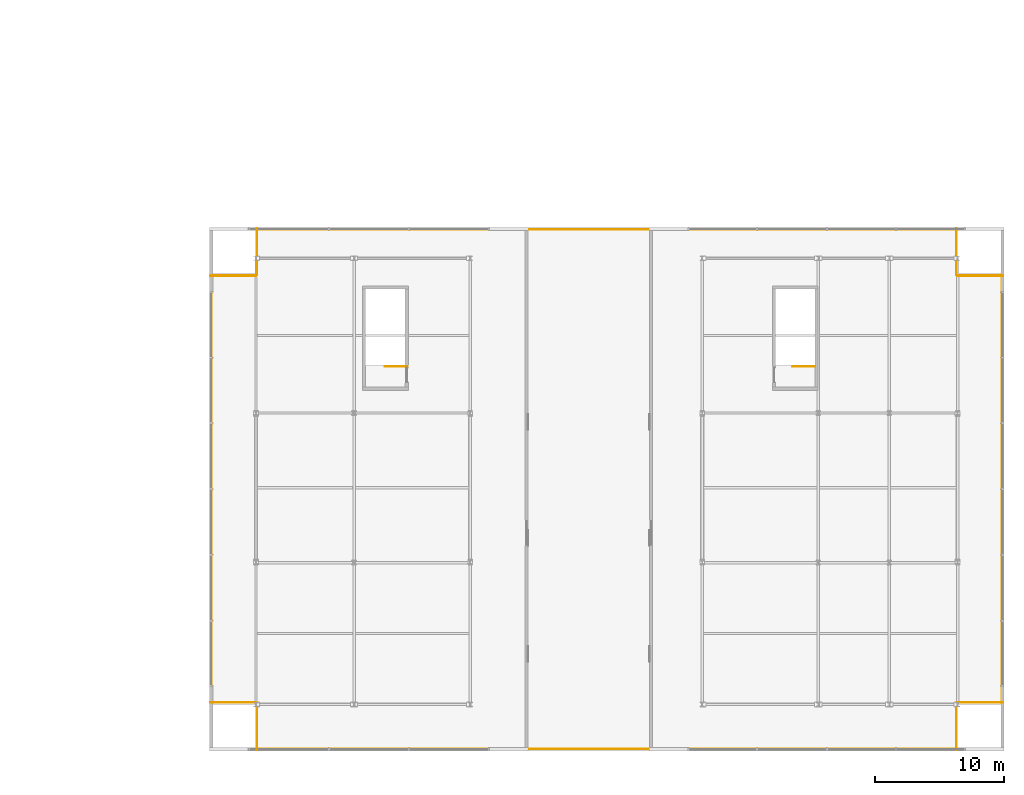
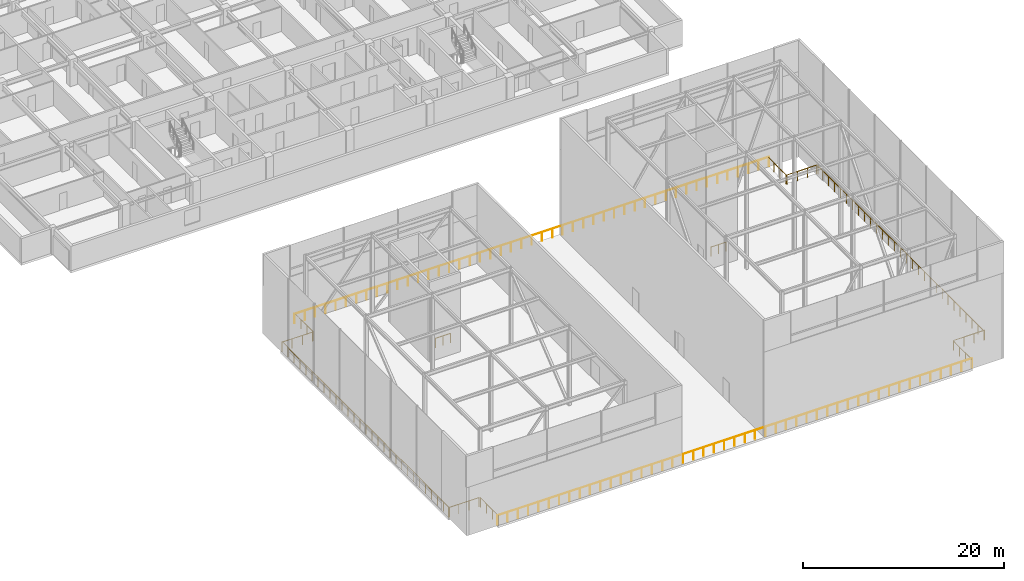
# One storey, part 40 of 42: 14 railings.
"""IFC4 building model written with IfcOpenShell, lengths in metres."""

import ifcopenshell
import ifcopenshell.guid

model = None  # the IFC model being written
_history = None  # IfcOwnerHistory: only IFC2X3 demands one
_inside = {}  # id of a spatial element -> (the spatial element, [elements in it])
_under = {}  # id of a project, library or spatial element -> (it, [spatial elements below it])
_declared = {}  # id of a project -> (the project, [libraries it declares])
_typed = {}  # id of a type object -> (the type object, [elements of that type])
_made_of = {}  # id of a material, layer set ... -> (it, [elements and type objects made of it])


def new_model(schema):
    """Start an empty IFC model of exactly this schema.

    Asked for "IFC4X3", IfcOpenShell would pick the latest addendum, in which some entities
    have other attributes; the version numbers below select the first issue.
    IFC2X3 requires an IfcOwnerHistory on every rooted entity: one is made here for all.
    """
    global model, _history
    if schema == "IFC4X3":
        model = ifcopenshell.file(schema_version=(4, 3, 0, 0))
    else:
        model = ifcopenshell.file(schema=schema)
    _inside.clear()
    _under.clear()
    _declared.clear()
    _typed.clear()
    _made_of.clear()
    _history = None
    if model.schema == "IFC2X3":
        org = make("IfcOrganization", Name="unknown")
        user = make(
            "IfcPersonAndOrganization",
            ThePerson=make("IfcPerson", FamilyName="unknown"),
            TheOrganization=org,
        )
        app = make(
            "IfcApplication",
            ApplicationDeveloper=org,
            Version="unknown",
            ApplicationFullName="unknown",
            ApplicationIdentifier="unknown",
        )
        _history = make(
            "IfcOwnerHistory",
            OwningUser=user,
            OwningApplication=app,
            ChangeAction="ADDED",
            CreationDate=0,
        )
    return model


def make(cls, **values):
    """One entity of the class cls with the attributes given. An attribute that is None is left unset."""
    return model.create_entity(
        cls, **{name: value for name, value in values.items() if value is not None}
    )


def rooted(cls, **values):
    """An entity with a GlobalId (a new one), such as an element, a storey or a relation."""
    return make(cls, GlobalId=ifcopenshell.guid.new(), OwnerHistory=_history, **values)


def si_unit(unit_type, name, prefix=None):
    """IfcSIUnit, for example si_unit("LENGTHUNIT", "METRE", prefix="MILLI")."""
    return make("IfcSIUnit", UnitType=unit_type, Prefix=prefix, Name=name)


def assignment(units):
    """IfcUnitAssignment: the units of a project."""
    return None if units is None else make("IfcUnitAssignment", Units=units)


def point(xyz):
    """IfcCartesianPoint."""
    return None if xyz is None else make("IfcCartesianPoint", Coordinates=xyz)


def direction(xyz):
    """IfcDirection."""
    return None if xyz is None else make("IfcDirection", DirectionRatios=xyz)


def frame(location, z_axis=None, x_axis=None):
    """IfcAxis2Placement3D, a coordinate frame: its origin and axes. An axis left out is left unset."""
    return make(
        "IfcAxis2Placement3D",
        Location=point(location),
        Axis=direction(z_axis),
        RefDirection=direction(x_axis),
    )


def frame_2d(location, x_axis=None):
    """IfcAxis2Placement2D, a coordinate frame in the plane: its origin and x axis."""
    return make(
        "IfcAxis2Placement2D", Location=point(location), RefDirection=direction(x_axis)
    )


def origin():
    """The frame at (0, 0, 0) with its axes left unset."""
    return frame((0.0, 0.0, 0.0))


def origin_2d():
    """The frame at (0, 0) in the plane with its x axis left unset."""
    return frame_2d((0.0, 0.0))


def place(relative_to, where):
    """IfcLocalPlacement: puts the frame where relative to a parent placement (None: the world)."""
    return make(
        "IfcLocalPlacement", PlacementRelTo=relative_to, RelativePlacement=where
    )


def context(
    kind, dimensions, precision=None, world=None, true_north=None, identifier=None
):
    """IfcGeometricRepresentationContext, for example the 3D "Model" context."""
    return make(
        "IfcGeometricRepresentationContext",
        ContextIdentifier=identifier,
        ContextType=kind,
        CoordinateSpaceDimension=dimensions,
        Precision=precision,
        WorldCoordinateSystem=world,
        TrueNorth=true_north,
    )


def subcontext(parent, identifier, kind, view, scale=None):
    """IfcGeometricRepresentationSubContext, for example "Body" below "Model"."""
    return make(
        "IfcGeometricRepresentationSubContext",
        ContextIdentifier=identifier,
        ContextType=kind,
        ParentContext=parent,
        TargetScale=scale,
        TargetView=view,
    )


def project(units=None, contexts=None):
    """IfcProject with its units and contexts."""
    return rooted(
        "IfcProject",
        Name="project",
        RepresentationContexts=contexts,
        UnitsInContext=assignment(units),
    )


def spatial(cls, under=None, at=None, **own):
    """A site, building, storey or space (cls), placed at a placement, below another one or the project."""
    s = rooted(cls, ObjectPlacement=at, **own)
    if under is not None:
        _under.setdefault(under.id(), (under, []))[1].append(s)
    return s


def profile(cls, at=None, kind="AREA", **sizes):
    """A parametric profile (cls). Its sizes go by their IFC names, for example OverallWidth=200.0."""
    return make(cls, ProfileType=kind, Position=at, **sizes)


def circle(**sizes):
    """IfcCircleProfileDef."""
    return profile("IfcCircleProfileDef", **sizes)


def extrude(swept, where, along, depth):
    """IfcExtrudedAreaSolid: the profile swept, set in the frame where, extruded along a direction by depth."""
    return make(
        "IfcExtrudedAreaSolid",
        SweptArea=swept,
        Position=where,
        ExtrudedDirection=direction(along),
        Depth=depth,
    )


def shape(context_of_items, identifier, shape_type, items):
    """IfcShapeRepresentation: the items that make up one representation, for example the "Body"."""
    return make(
        "IfcShapeRepresentation",
        ContextOfItems=context_of_items,
        RepresentationIdentifier=identifier,
        RepresentationType=shape_type,
        Items=items,
    )


def material(Name=None, Category=None):
    """IfcMaterial."""
    return make("IfcMaterial", Name=Name, Category=Category)


def made_of(thing, what):
    """Note that an element or type object is made of a material, layer set ...; save() writes the relation."""
    if what is not None:
        _made_of.setdefault(what.id(), (what, []))[1].append(thing)
    return thing


def type_object(cls, material=None, **own):
    """A type object (cls), such as IfcWallType, which elements share."""
    return made_of(rooted(cls, **own), material)


def element(
    cls,
    number,
    at=None,
    inside=None,
    cuts=None,
    type_object=None,
    material=None,
    context=None,
    identifier="Body",
    shape_type=None,
    held_by="IfcProductDefinitionShape",
    body=None,
    shapes=None,
    **own,
):
    """One element of the class cls, such as IfcWall. Its Tag is "e" and its number.

    at: its placement. inside: the storey or other place that contains it. cuts: it is an
    opening in that element (IfcRelVoidsElement). A single representation is given by context,
    identifier, shape_type and body (its items); several are given by shapes. held_by: the class
    of the entity that holds the representations. save() writes the other relations.
    """
    e = rooted(cls, Tag="e%d" % number, ObjectPlacement=at, **own)
    if body is not None:
        shapes = [shape(context, identifier, shape_type, body)]
    if shapes is not None:
        e.Representation = make(held_by, Representations=shapes)
    if inside is not None:
        _inside.setdefault(inside.id(), (inside, []))[1].append(e)
    if cuts is not None:
        rooted(
            "IfcRelVoidsElement", RelatingBuildingElement=cuts, RelatedOpeningElement=e
        )
    if type_object is not None:
        _typed.setdefault(type_object.id(), (type_object, []))[1].append(e)
    return made_of(e, material)


def aggregate(whole, parts):
    """IfcRelAggregates: a whole, such as a stair, and the parts it consists of."""
    return rooted("IfcRelAggregates", RelatingObject=whole, RelatedObjects=parts)


def save(model, path):
    """Write the relations noted so far, then the file.

    IfcRelAggregates (storeys below a building ...), IfcRelContainedInSpatialStructure (elements
    in a storey), IfcRelDefinesByType, IfcRelAssociatesMaterial and IfcRelDeclares: one each for
    every whole, place, type object, material and project.
    """
    for whole, parts in _under.values():
        aggregate(whole, parts)
    for where, things in _inside.values():
        rooted(
            "IfcRelContainedInSpatialStructure",
            RelatedElements=things,
            RelatingStructure=where,
        )
    for kind, things in _typed.values():
        rooted("IfcRelDefinesByType", RelatedObjects=things, RelatingType=kind)
    for what, things in _made_of.values():
        rooted("IfcRelAssociatesMaterial", RelatedObjects=things, RelatingMaterial=what)
    for by, libraries in _declared.values():
        rooted("IfcRelDeclares", RelatingContext=by, RelatedDefinitions=libraries)
    model.write(path)


model = new_model("IFC4")

# Units and contexts
model_context = context("Model", 3, precision=1e-05, world=origin(), true_north=direction((0.0, 1.0)))
body_context = subcontext(model_context, "Body", "Model", "MODEL_VIEW")
ifc_project = project(units=[si_unit("LENGTHUNIT", "METRE"), si_unit("AREAUNIT", "SQUARE_METRE"), si_unit("VOLUMEUNIT", "CUBIC_METRE"), si_unit("PLANEANGLEUNIT", "RADIAN"), si_unit("MASSUNIT", "GRAM", prefix="KILO")], contexts=[model_context])

# Site, building, storey
site_placement = place(None, origin())
site = spatial("IfcSite", under=ifc_project, at=site_placement, CompositionType="ELEMENT")
building_placement = place(site_placement, origin())
building = spatial("IfcBuilding", under=site, at=building_placement, Name="Korimba Cascade Residences", CompositionType="ELEMENT")
storey_placement = place(building_placement, frame((0.0, 0.0, 207.60009765625)))
storey = spatial("IfcBuildingStorey", under=building, at=storey_placement, Name="L60", CompositionType="ELEMENT", Elevation=207.60009765625)

# Railings
ifc_material_1 = material(Name="Painted Steel Stairwell Guardrail", Category="steel")
railing_type_1 = type_object("IfcRailingType", Name="RLG-ST-GD1150", PredefinedType="GUARDRAIL", material=ifc_material_1)
for number, where, name in (
    (1, (86.239990234375, 22.0, 0.0), "L60 ST-E1 top well guard 1"),
    (2, (117.840087890625, 22.0, 0.0), "L60 ST-E2 top well guard 1"),
):
    element("IfcRailing", number, at=place(storey_placement, frame(where)), inside=storey, type_object=railing_type_1, Name=name, PredefinedType="GUARDRAIL", context=body_context, shape_type="SweptSolid", body=[
        extrude(circle(Radius=0.02392578125, at=origin_2d()), frame((0.0, 0.0, 1.1259765625), z_axis=(-1.0, 0.0, 0.0), x_axis=(0.0, -1.0, 0.0)), (0.0, 0.0, 1.0), 1.719970703125),
        extrude(circle(Radius=0.02099609375, at=origin_2d()), origin(), (0.0, 0.0, 1.0), 1.101806640625),
        extrude(circle(Radius=0.02099609375, at=origin_2d()), frame((-0.85986328125, 0.0, 0.0)), (0.0, 0.0, 1.0), 1.101806640625),
        extrude(circle(Radius=0.02099609375, at=origin_2d()), frame((-1.719970703125, 0.0, 0.0)), (0.0, 0.0, 1.0), 1.101806640625),
    ])
ifc_material_2 = material(Name="Painted Galvanised Steel Terrace Guardrail", Category="steel")
railing_type_2 = type_object("IfcRailingType", Name="RLG-TER-1150", PredefinedType="GUARDRAIL", material=ifc_material_2)
railing_1_placement = place(storey_placement, frame((74.5, -7.639892578125, 0.0)))
element("IfcRailing", 3, at=railing_1_placement, inside=storey, type_object=railing_type_2, Name="L60 Perimeter Guardrail RLG-L60-CRN-PERIM-01", PredefinedType="GUARDRAIL", context=body_context, shape_type="SweptSolid", body=[
    extrude(circle(Radius=0.02392578125, at=origin_2d()), frame((0.0, 0.0, 1.1259765625), z_axis=(1.0, 0.0, 0.0), x_axis=(0.0, 1.0, 0.0)), (0.0, 0.0, 1.0), 54.39990234375),
    extrude(circle(Radius=0.02099609375, at=origin_2d()), origin(), (0.0, 0.0, 1.0), 1.101806640625),
    extrude(circle(Radius=0.02099609375, at=origin_2d()), frame((1.1826171875, 0.0, 0.0)), (0.0, 0.0, 1.0), 1.101806640625),
    extrude(circle(Radius=0.02099609375, at=origin_2d()), frame((2.365234375, 0.0, 0.0)), (0.0, 0.0, 1.0), 1.101806640625),
    extrude(circle(Radius=0.02099609375, at=origin_2d()), frame((3.5478515625, 0.0, 0.0)), (0.0, 0.0, 1.0), 1.101806640625),
    extrude(circle(Radius=0.02099609375, at=origin_2d()), frame((4.73046875, 0.0, 0.0)), (0.0, 0.0, 1.0), 1.101806640625),
    extrude(circle(Radius=0.02099609375, at=origin_2d()), frame((5.9130859375, 0.0, 0.0)), (0.0, 0.0, 1.0), 1.101806640625),
    extrude(circle(Radius=0.02099609375, at=origin_2d()), frame((7.095703125, 0.0, 0.0)), (0.0, 0.0, 1.0), 1.101806640625),
    extrude(circle(Radius=0.02099609375, at=origin_2d()), frame((8.2783203125, 0.0, 0.0)), (0.0, 0.0, 1.0), 1.101806640625),
    extrude(circle(Radius=0.02099609375, at=origin_2d()), frame((9.4609375, 0.0, 0.0)), (0.0, 0.0, 1.0), 1.101806640625),
    extrude(circle(Radius=0.02099609375, at=origin_2d()), frame((10.6435546875, 0.0, 0.0)), (0.0, 0.0, 1.0), 1.101806640625),
    extrude(circle(Radius=0.02099609375, at=origin_2d()), frame((11.826171875, 0.0, 0.0)), (0.0, 0.0, 1.0), 1.101806640625),
    extrude(circle(Radius=0.02099609375, at=origin_2d()), frame((13.0087890625, 0.0, 0.0)), (0.0, 0.0, 1.0), 1.101806640625),
    extrude(circle(Radius=0.02099609375, at=origin_2d()), frame((14.191162109375, 0.0, 0.0)), (0.0, 0.0, 1.0), 1.101806640625),
    extrude(circle(Radius=0.02099609375, at=origin_2d()), frame((15.373779296875, 0.0, 0.0)), (0.0, 0.0, 1.0), 1.101806640625),
    extrude(circle(Radius=0.02099609375, at=origin_2d()), frame((16.556396484375, 0.0, 0.0)), (0.0, 0.0, 1.0), 1.101806640625),
    extrude(circle(Radius=0.02099609375, at=origin_2d()), frame((17.739013671875, 0.0, 0.0)), (0.0, 0.0, 1.0), 1.101806640625),
    extrude(circle(Radius=0.02099609375, at=origin_2d()), frame((18.921630859375, 0.0, 0.0)), (0.0, 0.0, 1.0), 1.101806640625),
    extrude(circle(Radius=0.02099609375, at=origin_2d()), frame((20.104248046875, 0.0, 0.0)), (0.0, 0.0, 1.0), 1.101806640625),
    extrude(circle(Radius=0.02099609375, at=origin_2d()), frame((21.286865234375, 0.0, 0.0)), (0.0, 0.0, 1.0), 1.101806640625),
    extrude(circle(Radius=0.02099609375, at=origin_2d()), frame((22.469482421875, 0.0, 0.0)), (0.0, 0.0, 1.0), 1.101806640625),
    extrude(circle(Radius=0.02099609375, at=origin_2d()), frame((23.652099609375, 0.0, 0.0)), (0.0, 0.0, 1.0), 1.101806640625),
    extrude(circle(Radius=0.02099609375, at=origin_2d()), frame((24.834716796875, 0.0, 0.0)), (0.0, 0.0, 1.0), 1.101806640625),
    extrude(circle(Radius=0.02099609375, at=origin_2d()), frame((26.017333984375, 0.0, 0.0)), (0.0, 0.0, 1.0), 1.101806640625),
    extrude(circle(Radius=0.02099609375, at=origin_2d()), frame((27.199951171875, 0.0, 0.0)), (0.0, 0.0, 1.0), 1.101806640625),
    extrude(circle(Radius=0.02099609375, at=origin_2d()), frame((28.382568359375, 0.0, 0.0)), (0.0, 0.0, 1.0), 1.101806640625),
    extrude(circle(Radius=0.02099609375, at=origin_2d()), frame((29.565185546875, 0.0, 0.0)), (0.0, 0.0, 1.0), 1.101806640625),
    extrude(circle(Radius=0.02099609375, at=origin_2d()), frame((30.747802734375, 0.0, 0.0)), (0.0, 0.0, 1.0), 1.101806640625),
    extrude(circle(Radius=0.02099609375, at=origin_2d()), frame((31.930419921875, 0.0, 0.0)), (0.0, 0.0, 1.0), 1.101806640625),
    extrude(circle(Radius=0.02099609375, at=origin_2d()), frame((33.113037109375, 0.0, 0.0)), (0.0, 0.0, 1.0), 1.101806640625),
    extrude(circle(Radius=0.02099609375, at=origin_2d()), frame((34.295654296875, 0.0, 0.0)), (0.0, 0.0, 1.0), 1.101806640625),
    extrude(circle(Radius=0.02099609375, at=origin_2d()), frame((35.478271484375, 0.0, 0.0)), (0.0, 0.0, 1.0), 1.101806640625),
    extrude(circle(Radius=0.02099609375, at=origin_2d()), frame((36.660888671875, 0.0, 0.0)), (0.0, 0.0, 1.0), 1.101806640625),
    extrude(circle(Radius=0.02099609375, at=origin_2d()), frame((37.843505859375, 0.0, 0.0)), (0.0, 0.0, 1.0), 1.101806640625),
    extrude(circle(Radius=0.02099609375, at=origin_2d()), frame((39.026123046875, 0.0, 0.0)), (0.0, 0.0, 1.0), 1.101806640625),
    extrude(circle(Radius=0.02099609375, at=origin_2d()), frame((40.208740234375, 0.0, 0.0)), (0.0, 0.0, 1.0), 1.101806640625),
    extrude(circle(Radius=0.02099609375, at=origin_2d()), frame((41.39111328125, 0.0, 0.0)), (0.0, 0.0, 1.0), 1.101806640625),
    extrude(circle(Radius=0.02099609375, at=origin_2d()), frame((42.57373046875, 0.0, 0.0)), (0.0, 0.0, 1.0), 1.101806640625),
    extrude(circle(Radius=0.02099609375, at=origin_2d()), frame((43.75634765625, 0.0, 0.0)), (0.0, 0.0, 1.0), 1.101806640625),
    extrude(circle(Radius=0.02099609375, at=origin_2d()), frame((44.93896484375, 0.0, 0.0)), (0.0, 0.0, 1.0), 1.101806640625),
    extrude(circle(Radius=0.02099609375, at=origin_2d()), frame((46.12158203125, 0.0, 0.0)), (0.0, 0.0, 1.0), 1.101806640625),
    extrude(circle(Radius=0.02099609375, at=origin_2d()), frame((47.30419921875, 0.0, 0.0)), (0.0, 0.0, 1.0), 1.101806640625),
    extrude(circle(Radius=0.02099609375, at=origin_2d()), frame((48.48681640625, 0.0, 0.0)), (0.0, 0.0, 1.0), 1.101806640625),
    extrude(circle(Radius=0.02099609375, at=origin_2d()), frame((49.66943359375, 0.0, 0.0)), (0.0, 0.0, 1.0), 1.101806640625),
    extrude(circle(Radius=0.02099609375, at=origin_2d()), frame((50.85205078125, 0.0, 0.0)), (0.0, 0.0, 1.0), 1.101806640625),
    extrude(circle(Radius=0.02099609375, at=origin_2d()), frame((52.03466796875, 0.0, 0.0)), (0.0, 0.0, 1.0), 1.101806640625),
    extrude(circle(Radius=0.02099609375, at=origin_2d()), frame((53.21728515625, 0.0, 0.0)), (0.0, 0.0, 1.0), 1.101806640625),
    extrude(circle(Radius=0.02099609375, at=origin_2d()), frame((54.39990234375, 0.0, 0.0)), (0.0, 0.0, 1.0), 1.101806640625),
])
railing_2_placement = place(storey_placement, frame((128.820068359375, -7.719970703125, 0.0)))
element("IfcRailing", 4, at=railing_2_placement, inside=storey, type_object=railing_type_2, Name="L60 Perimeter Guardrail RLG-L60-CRN-PERIM-02", PredefinedType="GUARDRAIL", context=body_context, shape_type="SweptSolid", body=[
    extrude(circle(Radius=0.02392578125, at=origin_2d()), frame((0.0, 0.0, 1.1259765625), z_axis=(0.0, 1.0, 0.0), x_axis=(-1.0, 0.0, 0.0)), (0.0, 0.0, 1.0), 3.599853515625),
    extrude(circle(Radius=0.02099609375, at=origin_2d()), origin(), (0.0, 0.0, 1.0), 1.101806640625),
    extrude(circle(Radius=0.02099609375, at=origin_2d()), frame((0.0, 1.199951171875, 0.0)), (0.0, 0.0, 1.0), 1.101806640625),
    extrude(circle(Radius=0.02099609375, at=origin_2d()), frame((0.0, 2.39990234375, 0.0)), (0.0, 0.0, 1.0), 1.101806640625),
    extrude(circle(Radius=0.02099609375, at=origin_2d()), frame((0.0, 3.599853515625, 0.0)), (0.0, 0.0, 1.0), 1.101806640625),
])
railing_3_placement = place(storey_placement, frame((128.89990234375, -4.0400390625, 0.0)))
element("IfcRailing", 5, at=railing_3_placement, inside=storey, type_object=railing_type_2, Name="L60 Perimeter Guardrail RLG-L60-CRN-PERIM-03", PredefinedType="GUARDRAIL", context=body_context, shape_type="SweptSolid", body=[
    extrude(circle(Radius=0.02392578125, at=origin_2d()), frame((0.0, 0.0, 1.1259765625), z_axis=(1.0, 0.0, 0.0), x_axis=(0.0, 1.0, 0.0)), (0.0, 0.0, 1.0), 3.52001953125),
    extrude(circle(Radius=0.02099609375, at=origin_2d()), origin(), (0.0, 0.0, 1.0), 1.101806640625),
    extrude(circle(Radius=0.02099609375, at=origin_2d()), frame((1.17333984375, 0.0, 0.0)), (0.0, 0.0, 1.0), 1.101806640625),
    extrude(circle(Radius=0.02099609375, at=origin_2d()), frame((2.3466796875, 0.0, 0.0)), (0.0, 0.0, 1.0), 1.101806640625),
    extrude(circle(Radius=0.02099609375, at=origin_2d()), frame((3.52001953125, 0.0, 0.0)), (0.0, 0.0, 1.0), 1.101806640625),
])
railing_4_placement = place(storey_placement, frame((132.340087890625, -4.1201171875, 0.0)))
element("IfcRailing", 6, at=railing_4_placement, inside=storey, type_object=railing_type_2, Name="L60 Perimeter Guardrail RLG-L60-CRN-PERIM-04", PredefinedType="GUARDRAIL", context=body_context, shape_type="SweptSolid", body=[
    extrude(circle(Radius=0.02392578125, at=origin_2d()), frame((0.0, 0.0, 1.1259765625), z_axis=(0.0, 1.0, 0.0), x_axis=(-1.0, 0.0, 0.0)), (0.0, 0.0, 1.0), 33.240234375),
    extrude(circle(Radius=0.02099609375, at=origin_2d()), origin(), (0.0, 0.0, 1.0), 1.101806640625),
    extrude(circle(Radius=0.02099609375, at=origin_2d()), frame((0.0, 1.187255859375, 0.0)), (0.0, 0.0, 1.0), 1.101806640625),
    extrude(circle(Radius=0.02099609375, at=origin_2d()), frame((0.0, 2.374267578125, 0.0)), (0.0, 0.0, 1.0), 1.101806640625),
    extrude(circle(Radius=0.02099609375, at=origin_2d()), frame((0.0, 3.5615234375, 0.0)), (0.0, 0.0, 1.0), 1.101806640625),
    extrude(circle(Radius=0.02099609375, at=origin_2d()), frame((0.0, 4.74853515625, 0.0)), (0.0, 0.0, 1.0), 1.101806640625),
    extrude(circle(Radius=0.02099609375, at=origin_2d()), frame((0.0, 5.935791015625, 0.0)), (0.0, 0.0, 1.0), 1.101806640625),
    extrude(circle(Radius=0.02099609375, at=origin_2d()), frame((0.0, 7.122802734375, 0.0)), (0.0, 0.0, 1.0), 1.101806640625),
    extrude(circle(Radius=0.02099609375, at=origin_2d()), frame((0.0, 8.31005859375, 0.0)), (0.0, 0.0, 1.0), 1.101806640625),
    extrude(circle(Radius=0.02099609375, at=origin_2d()), frame((0.0, 9.497314453125, 0.0)), (0.0, 0.0, 1.0), 1.101806640625),
    extrude(circle(Radius=0.02099609375, at=origin_2d()), frame((0.0, 10.684326171875, 0.0)), (0.0, 0.0, 1.0), 1.101806640625),
    extrude(circle(Radius=0.02099609375, at=origin_2d()), frame((0.0, 11.87158203125, 0.0)), (0.0, 0.0, 1.0), 1.101806640625),
    extrude(circle(Radius=0.02099609375, at=origin_2d()), frame((0.0, 13.05859375, 0.0)), (0.0, 0.0, 1.0), 1.101806640625),
    extrude(circle(Radius=0.02099609375, at=origin_2d()), frame((0.0, 14.245849609375, 0.0)), (0.0, 0.0, 1.0), 1.101806640625),
    extrude(circle(Radius=0.02099609375, at=origin_2d()), frame((0.0, 15.432861328125, 0.0)), (0.0, 0.0, 1.0), 1.101806640625),
    extrude(circle(Radius=0.02099609375, at=origin_2d()), frame((0.0, 16.6201171875, 0.0)), (0.0, 0.0, 1.0), 1.101806640625),
    extrude(circle(Radius=0.02099609375, at=origin_2d()), frame((0.0, 17.807373046875, 0.0)), (0.0, 0.0, 1.0), 1.101806640625),
    extrude(circle(Radius=0.02099609375, at=origin_2d()), frame((0.0, 18.994384765625, 0.0)), (0.0, 0.0, 1.0), 1.101806640625),
    extrude(circle(Radius=0.02099609375, at=origin_2d()), frame((0.0, 20.181640625, 0.0)), (0.0, 0.0, 1.0), 1.101806640625),
    extrude(circle(Radius=0.02099609375, at=origin_2d()), frame((0.0, 21.36865234375, 0.0)), (0.0, 0.0, 1.0), 1.101806640625),
    extrude(circle(Radius=0.02099609375, at=origin_2d()), frame((0.0, 22.555908203125, 0.0)), (0.0, 0.0, 1.0), 1.101806640625),
    extrude(circle(Radius=0.02099609375, at=origin_2d()), frame((0.0, 23.742919921875, 0.0)), (0.0, 0.0, 1.0), 1.101806640625),
    extrude(circle(Radius=0.02099609375, at=origin_2d()), frame((0.0, 24.93017578125, 0.0)), (0.0, 0.0, 1.0), 1.101806640625),
    extrude(circle(Radius=0.02099609375, at=origin_2d()), frame((0.0, 26.117431640625, 0.0)), (0.0, 0.0, 1.0), 1.101806640625),
    extrude(circle(Radius=0.02099609375, at=origin_2d()), frame((0.0, 27.304443359375, 0.0)), (0.0, 0.0, 1.0), 1.101806640625),
    extrude(circle(Radius=0.02099609375, at=origin_2d()), frame((0.0, 28.49169921875, 0.0)), (0.0, 0.0, 1.0), 1.101806640625),
    extrude(circle(Radius=0.02099609375, at=origin_2d()), frame((0.0, 29.6787109375, 0.0)), (0.0, 0.0, 1.0), 1.101806640625),
    extrude(circle(Radius=0.02099609375, at=origin_2d()), frame((0.0, 30.865966796875, 0.0)), (0.0, 0.0, 1.0), 1.101806640625),
    extrude(circle(Radius=0.02099609375, at=origin_2d()), frame((0.0, 32.052978515625, 0.0)), (0.0, 0.0, 1.0), 1.101806640625),
    extrude(circle(Radius=0.02099609375, at=origin_2d()), frame((0.0, 33.240234375, 0.0)), (0.0, 0.0, 1.0), 1.101806640625),
])
railing_5_placement = place(storey_placement, frame((132.419921875, 29.0400390625, 0.0)))
element("IfcRailing", 7, at=railing_5_placement, inside=storey, type_object=railing_type_2, Name="L60 Perimeter Guardrail RLG-L60-CRN-PERIM-05", PredefinedType="GUARDRAIL", context=body_context, shape_type="SweptSolid", body=[
    extrude(circle(Radius=0.02392578125, at=origin_2d()), frame((0.0, 0.0, 1.1259765625), z_axis=(-1.0, 0.0, 0.0), x_axis=(0.0, -1.0, 0.0)), (0.0, 0.0, 1.0), 3.52001953125),
    extrude(circle(Radius=0.02099609375, at=origin_2d()), origin(), (0.0, 0.0, 1.0), 1.101806640625),
    extrude(circle(Radius=0.02099609375, at=origin_2d()), frame((-1.17333984375, 0.0, 0.0)), (0.0, 0.0, 1.0), 1.101806640625),
    extrude(circle(Radius=0.02099609375, at=origin_2d()), frame((-2.3466796875, 0.0, 0.0)), (0.0, 0.0, 1.0), 1.101806640625),
    extrude(circle(Radius=0.02099609375, at=origin_2d()), frame((-3.52001953125, 0.0, 0.0)), (0.0, 0.0, 1.0), 1.101806640625),
])
railing_6_placement = place(storey_placement, frame((128.820068359375, 29.1201171875, 0.0)))
element("IfcRailing", 8, at=railing_6_placement, inside=storey, type_object=railing_type_2, Name="L60 Perimeter Guardrail RLG-L60-CRN-PERIM-06", PredefinedType="GUARDRAIL", context=body_context, shape_type="SweptSolid", body=[
    extrude(circle(Radius=0.02392578125, at=origin_2d()), frame((0.0, 0.0, 1.1259765625), z_axis=(0.0, 1.0, 0.0), x_axis=(-1.0, 0.0, 0.0)), (0.0, 0.0, 1.0), 3.599853515625),
    extrude(circle(Radius=0.02099609375, at=origin_2d()), origin(), (0.0, 0.0, 1.0), 1.101806640625),
    extrude(circle(Radius=0.02099609375, at=origin_2d()), frame((0.0, 1.199951171875, 0.0)), (0.0, 0.0, 1.0), 1.101806640625),
    extrude(circle(Radius=0.02099609375, at=origin_2d()), frame((0.0, 2.39990234375, 0.0)), (0.0, 0.0, 1.0), 1.101806640625),
    extrude(circle(Radius=0.02099609375, at=origin_2d()), frame((0.0, 3.599853515625, 0.0)), (0.0, 0.0, 1.0), 1.101806640625),
])
railing_7_placement = place(storey_placement, frame((128.89990234375, 32.639892578125, 0.0)))
element("IfcRailing", 9, at=railing_7_placement, inside=storey, type_object=railing_type_2, Name="L60 Perimeter Guardrail RLG-L60-CRN-PERIM-07", PredefinedType="GUARDRAIL", context=body_context, shape_type="SweptSolid", body=[
    extrude(circle(Radius=0.02392578125, at=origin_2d()), frame((0.0, 0.0, 1.1259765625), z_axis=(-1.0, 0.0, 0.0), x_axis=(0.0, -1.0, 0.0)), (0.0, 0.0, 1.0), 54.39990234375),
    extrude(circle(Radius=0.02099609375, at=origin_2d()), origin(), (0.0, 0.0, 1.0), 1.101806640625),
    extrude(circle(Radius=0.02099609375, at=origin_2d()), frame((-1.1826171875, 0.0, 0.0)), (0.0, 0.0, 1.0), 1.101806640625),
    extrude(circle(Radius=0.02099609375, at=origin_2d()), frame((-2.365234375, 0.0, 0.0)), (0.0, 0.0, 1.0), 1.101806640625),
    extrude(circle(Radius=0.02099609375, at=origin_2d()), frame((-3.5478515625, 0.0, 0.0)), (0.0, 0.0, 1.0), 1.101806640625),
    extrude(circle(Radius=0.02099609375, at=origin_2d()), frame((-4.73046875, 0.0, 0.0)), (0.0, 0.0, 1.0), 1.101806640625),
    extrude(circle(Radius=0.02099609375, at=origin_2d()), frame((-5.9130859375, 0.0, 0.0)), (0.0, 0.0, 1.0), 1.101806640625),
    extrude(circle(Radius=0.02099609375, at=origin_2d()), frame((-7.095703125, 0.0, 0.0)), (0.0, 0.0, 1.0), 1.101806640625),
    extrude(circle(Radius=0.02099609375, at=origin_2d()), frame((-8.2783203125, 0.0, 0.0)), (0.0, 0.0, 1.0), 1.101806640625),
    extrude(circle(Radius=0.02099609375, at=origin_2d()), frame((-9.4609375, 0.0, 0.0)), (0.0, 0.0, 1.0), 1.101806640625),
    extrude(circle(Radius=0.02099609375, at=origin_2d()), frame((-10.6435546875, 0.0, 0.0)), (0.0, 0.0, 1.0), 1.101806640625),
    extrude(circle(Radius=0.02099609375, at=origin_2d()), frame((-11.826171875, 0.0, 0.0)), (0.0, 0.0, 1.0), 1.101806640625),
    extrude(circle(Radius=0.02099609375, at=origin_2d()), frame((-13.0087890625, 0.0, 0.0)), (0.0, 0.0, 1.0), 1.101806640625),
    extrude(circle(Radius=0.02099609375, at=origin_2d()), frame((-14.191162109375, 0.0, 0.0)), (0.0, 0.0, 1.0), 1.101806640625),
    extrude(circle(Radius=0.02099609375, at=origin_2d()), frame((-15.373779296875, 0.0, 0.0)), (0.0, 0.0, 1.0), 1.101806640625),
    extrude(circle(Radius=0.02099609375, at=origin_2d()), frame((-16.556396484375, 0.0, 0.0)), (0.0, 0.0, 1.0), 1.101806640625),
    extrude(circle(Radius=0.02099609375, at=origin_2d()), frame((-17.739013671875, 0.0, 0.0)), (0.0, 0.0, 1.0), 1.101806640625),
    extrude(circle(Radius=0.02099609375, at=origin_2d()), frame((-18.921630859375, 0.0, 0.0)), (0.0, 0.0, 1.0), 1.101806640625),
    extrude(circle(Radius=0.02099609375, at=origin_2d()), frame((-20.104248046875, 0.0, 0.0)), (0.0, 0.0, 1.0), 1.101806640625),
    extrude(circle(Radius=0.02099609375, at=origin_2d()), frame((-21.286865234375, 0.0, 0.0)), (0.0, 0.0, 1.0), 1.101806640625),
    extrude(circle(Radius=0.02099609375, at=origin_2d()), frame((-22.469482421875, 0.0, 0.0)), (0.0, 0.0, 1.0), 1.101806640625),
    extrude(circle(Radius=0.02099609375, at=origin_2d()), frame((-23.652099609375, 0.0, 0.0)), (0.0, 0.0, 1.0), 1.101806640625),
    extrude(circle(Radius=0.02099609375, at=origin_2d()), frame((-24.834716796875, 0.0, 0.0)), (0.0, 0.0, 1.0), 1.101806640625),
    extrude(circle(Radius=0.02099609375, at=origin_2d()), frame((-26.017333984375, 0.0, 0.0)), (0.0, 0.0, 1.0), 1.101806640625),
    extrude(circle(Radius=0.02099609375, at=origin_2d()), frame((-27.199951171875, 0.0, 0.0)), (0.0, 0.0, 1.0), 1.101806640625),
    extrude(circle(Radius=0.02099609375, at=origin_2d()), frame((-28.382568359375, 0.0, 0.0)), (0.0, 0.0, 1.0), 1.101806640625),
    extrude(circle(Radius=0.02099609375, at=origin_2d()), frame((-29.565185546875, 0.0, 0.0)), (0.0, 0.0, 1.0), 1.101806640625),
    extrude(circle(Radius=0.02099609375, at=origin_2d()), frame((-30.747802734375, 0.0, 0.0)), (0.0, 0.0, 1.0), 1.101806640625),
    extrude(circle(Radius=0.02099609375, at=origin_2d()), frame((-31.930419921875, 0.0, 0.0)), (0.0, 0.0, 1.0), 1.101806640625),
    extrude(circle(Radius=0.02099609375, at=origin_2d()), frame((-33.113037109375, 0.0, 0.0)), (0.0, 0.0, 1.0), 1.101806640625),
    extrude(circle(Radius=0.02099609375, at=origin_2d()), frame((-34.295654296875, 0.0, 0.0)), (0.0, 0.0, 1.0), 1.101806640625),
    extrude(circle(Radius=0.02099609375, at=origin_2d()), frame((-35.478271484375, 0.0, 0.0)), (0.0, 0.0, 1.0), 1.101806640625),
    extrude(circle(Radius=0.02099609375, at=origin_2d()), frame((-36.660888671875, 0.0, 0.0)), (0.0, 0.0, 1.0), 1.101806640625),
    extrude(circle(Radius=0.02099609375, at=origin_2d()), frame((-37.843505859375, 0.0, 0.0)), (0.0, 0.0, 1.0), 1.101806640625),
    extrude(circle(Radius=0.02099609375, at=origin_2d()), frame((-39.026123046875, 0.0, 0.0)), (0.0, 0.0, 1.0), 1.101806640625),
    extrude(circle(Radius=0.02099609375, at=origin_2d()), frame((-40.208740234375, 0.0, 0.0)), (0.0, 0.0, 1.0), 1.101806640625),
    extrude(circle(Radius=0.02099609375, at=origin_2d()), frame((-41.39111328125, 0.0, 0.0)), (0.0, 0.0, 1.0), 1.101806640625),
    extrude(circle(Radius=0.02099609375, at=origin_2d()), frame((-42.57373046875, 0.0, 0.0)), (0.0, 0.0, 1.0), 1.101806640625),
    extrude(circle(Radius=0.02099609375, at=origin_2d()), frame((-43.75634765625, 0.0, 0.0)), (0.0, 0.0, 1.0), 1.101806640625),
    extrude(circle(Radius=0.02099609375, at=origin_2d()), frame((-44.93896484375, 0.0, 0.0)), (0.0, 0.0, 1.0), 1.101806640625),
    extrude(circle(Radius=0.02099609375, at=origin_2d()), frame((-46.12158203125, 0.0, 0.0)), (0.0, 0.0, 1.0), 1.101806640625),
    extrude(circle(Radius=0.02099609375, at=origin_2d()), frame((-47.30419921875, 0.0, 0.0)), (0.0, 0.0, 1.0), 1.101806640625),
    extrude(circle(Radius=0.02099609375, at=origin_2d()), frame((-48.48681640625, 0.0, 0.0)), (0.0, 0.0, 1.0), 1.101806640625),
    extrude(circle(Radius=0.02099609375, at=origin_2d()), frame((-49.66943359375, 0.0, 0.0)), (0.0, 0.0, 1.0), 1.101806640625),
    extrude(circle(Radius=0.02099609375, at=origin_2d()), frame((-50.85205078125, 0.0, 0.0)), (0.0, 0.0, 1.0), 1.101806640625),
    extrude(circle(Radius=0.02099609375, at=origin_2d()), frame((-52.03466796875, 0.0, 0.0)), (0.0, 0.0, 1.0), 1.101806640625),
    extrude(circle(Radius=0.02099609375, at=origin_2d()), frame((-53.21728515625, 0.0, 0.0)), (0.0, 0.0, 1.0), 1.101806640625),
    extrude(circle(Radius=0.02099609375, at=origin_2d()), frame((-54.39990234375, 0.0, 0.0)), (0.0, 0.0, 1.0), 1.101806640625),
])
railing_8_placement = place(storey_placement, frame((74.580078125, 32.719970703125, 0.0)))
element("IfcRailing", 10, at=railing_8_placement, inside=storey, type_object=railing_type_2, Name="L60 Perimeter Guardrail RLG-L60-CRN-PERIM-08", PredefinedType="GUARDRAIL", context=body_context, shape_type="SweptSolid", body=[
    extrude(circle(Radius=0.02392578125, at=origin_2d()), frame((0.0, 0.0, 1.1259765625), z_axis=(0.0, -1.0, 0.0), x_axis=(1.0, 0.0, 0.0)), (0.0, 0.0, 1.0), 3.599853515625),
    extrude(circle(Radius=0.02099609375, at=origin_2d()), origin(), (0.0, 0.0, 1.0), 1.101806640625),
    extrude(circle(Radius=0.02099609375, at=origin_2d()), frame((0.0, -1.199951171875, 0.0)), (0.0, 0.0, 1.0), 1.101806640625),
    extrude(circle(Radius=0.02099609375, at=origin_2d()), frame((0.0, -2.39990234375, 0.0)), (0.0, 0.0, 1.0), 1.101806640625),
    extrude(circle(Radius=0.02099609375, at=origin_2d()), frame((0.0, -3.599853515625, 0.0)), (0.0, 0.0, 1.0), 1.101806640625),
])
railing_9_placement = place(storey_placement, frame((74.5, 29.0400390625, 0.0)))
element("IfcRailing", 11, at=railing_9_placement, inside=storey, type_object=railing_type_2, Name="L60 Perimeter Guardrail RLG-L60-CRN-PERIM-09", PredefinedType="GUARDRAIL", context=body_context, shape_type="SweptSolid", body=[
    extrude(circle(Radius=0.02392578125, at=origin_2d()), frame((0.0, 0.0, 1.1259765625), z_axis=(-1.0, 0.0, 0.0), x_axis=(0.0, -1.0, 0.0)), (0.0, 0.0, 1.0), 3.52001953125),
    extrude(circle(Radius=0.02099609375, at=origin_2d()), origin(), (0.0, 0.0, 1.0), 1.101806640625),
    extrude(circle(Radius=0.02099609375, at=origin_2d()), frame((-1.17333984375, 0.0, 0.0)), (0.0, 0.0, 1.0), 1.101806640625),
    extrude(circle(Radius=0.02099609375, at=origin_2d()), frame((-2.3466796875, 0.0, 0.0)), (0.0, 0.0, 1.0), 1.101806640625),
    extrude(circle(Radius=0.02099609375, at=origin_2d()), frame((-3.52001953125, 0.0, 0.0)), (0.0, 0.0, 1.0), 1.101806640625),
])
railing_10_placement = place(storey_placement, frame((71.06005859375, 29.1201171875, 0.0)))
element("IfcRailing", 12, at=railing_10_placement, inside=storey, type_object=railing_type_2, Name="L60 Perimeter Guardrail RLG-L60-CRN-PERIM-10", PredefinedType="GUARDRAIL", context=body_context, shape_type="SweptSolid", body=[
    extrude(circle(Radius=0.02392578125, at=origin_2d()), frame((0.0, 0.0, 1.1259765625), z_axis=(0.0, -1.0, 0.0), x_axis=(1.0, 0.0, 0.0)), (0.0, 0.0, 1.0), 33.240234375),
    extrude(circle(Radius=0.02099609375, at=origin_2d()), origin(), (0.0, 0.0, 1.0), 1.101806640625),
    extrude(circle(Radius=0.02099609375, at=origin_2d()), frame((0.0, -1.187255859375, 0.0)), (0.0, 0.0, 1.0), 1.101806640625),
    extrude(circle(Radius=0.02099609375, at=origin_2d()), frame((0.0, -2.374267578125, 0.0)), (0.0, 0.0, 1.0), 1.101806640625),
    extrude(circle(Radius=0.02099609375, at=origin_2d()), frame((0.0, -3.5615234375, 0.0)), (0.0, 0.0, 1.0), 1.101806640625),
    extrude(circle(Radius=0.02099609375, at=origin_2d()), frame((0.0, -4.74853515625, 0.0)), (0.0, 0.0, 1.0), 1.101806640625),
    extrude(circle(Radius=0.02099609375, at=origin_2d()), frame((0.0, -5.935791015625, 0.0)), (0.0, 0.0, 1.0), 1.101806640625),
    extrude(circle(Radius=0.02099609375, at=origin_2d()), frame((0.0, -7.122802734375, 0.0)), (0.0, 0.0, 1.0), 1.101806640625),
    extrude(circle(Radius=0.02099609375, at=origin_2d()), frame((0.0, -8.31005859375, 0.0)), (0.0, 0.0, 1.0), 1.101806640625),
    extrude(circle(Radius=0.02099609375, at=origin_2d()), frame((0.0, -9.497314453125, 0.0)), (0.0, 0.0, 1.0), 1.101806640625),
    extrude(circle(Radius=0.02099609375, at=origin_2d()), frame((0.0, -10.684326171875, 0.0)), (0.0, 0.0, 1.0), 1.101806640625),
    extrude(circle(Radius=0.02099609375, at=origin_2d()), frame((0.0, -11.87158203125, 0.0)), (0.0, 0.0, 1.0), 1.101806640625),
    extrude(circle(Radius=0.02099609375, at=origin_2d()), frame((0.0, -13.05859375, 0.0)), (0.0, 0.0, 1.0), 1.101806640625),
    extrude(circle(Radius=0.02099609375, at=origin_2d()), frame((0.0, -14.245849609375, 0.0)), (0.0, 0.0, 1.0), 1.101806640625),
    extrude(circle(Radius=0.02099609375, at=origin_2d()), frame((0.0, -15.432861328125, 0.0)), (0.0, 0.0, 1.0), 1.101806640625),
    extrude(circle(Radius=0.02099609375, at=origin_2d()), frame((0.0, -16.6201171875, 0.0)), (0.0, 0.0, 1.0), 1.101806640625),
    extrude(circle(Radius=0.02099609375, at=origin_2d()), frame((0.0, -17.807373046875, 0.0)), (0.0, 0.0, 1.0), 1.101806640625),
    extrude(circle(Radius=0.02099609375, at=origin_2d()), frame((0.0, -18.994384765625, 0.0)), (0.0, 0.0, 1.0), 1.101806640625),
    extrude(circle(Radius=0.02099609375, at=origin_2d()), frame((0.0, -20.181640625, 0.0)), (0.0, 0.0, 1.0), 1.101806640625),
    extrude(circle(Radius=0.02099609375, at=origin_2d()), frame((0.0, -21.36865234375, 0.0)), (0.0, 0.0, 1.0), 1.101806640625),
    extrude(circle(Radius=0.02099609375, at=origin_2d()), frame((0.0, -22.555908203125, 0.0)), (0.0, 0.0, 1.0), 1.101806640625),
    extrude(circle(Radius=0.02099609375, at=origin_2d()), frame((0.0, -23.742919921875, 0.0)), (0.0, 0.0, 1.0), 1.101806640625),
    extrude(circle(Radius=0.02099609375, at=origin_2d()), frame((0.0, -24.93017578125, 0.0)), (0.0, 0.0, 1.0), 1.101806640625),
    extrude(circle(Radius=0.02099609375, at=origin_2d()), frame((0.0, -26.117431640625, 0.0)), (0.0, 0.0, 1.0), 1.101806640625),
    extrude(circle(Radius=0.02099609375, at=origin_2d()), frame((0.0, -27.304443359375, 0.0)), (0.0, 0.0, 1.0), 1.101806640625),
    extrude(circle(Radius=0.02099609375, at=origin_2d()), frame((0.0, -28.49169921875, 0.0)), (0.0, 0.0, 1.0), 1.101806640625),
    extrude(circle(Radius=0.02099609375, at=origin_2d()), frame((0.0, -29.6787109375, 0.0)), (0.0, 0.0, 1.0), 1.101806640625),
    extrude(circle(Radius=0.02099609375, at=origin_2d()), frame((0.0, -30.865966796875, 0.0)), (0.0, 0.0, 1.0), 1.101806640625),
    extrude(circle(Radius=0.02099609375, at=origin_2d()), frame((0.0, -32.052978515625, 0.0)), (0.0, 0.0, 1.0), 1.101806640625),
    extrude(circle(Radius=0.02099609375, at=origin_2d()), frame((0.0, -33.240234375, 0.0)), (0.0, 0.0, 1.0), 1.101806640625),
])
railing_11_placement = place(storey_placement, frame((70.97998046875, -4.0400390625, 0.0)))
element("IfcRailing", 13, at=railing_11_placement, inside=storey, type_object=railing_type_2, Name="L60 Perimeter Guardrail RLG-L60-CRN-PERIM-11", PredefinedType="GUARDRAIL", context=body_context, shape_type="SweptSolid", body=[
    extrude(circle(Radius=0.02392578125, at=origin_2d()), frame((0.0, 0.0, 1.1259765625), z_axis=(1.0, 0.0, 0.0), x_axis=(0.0, 1.0, 0.0)), (0.0, 0.0, 1.0), 3.52001953125),
    extrude(circle(Radius=0.02099609375, at=origin_2d()), origin(), (0.0, 0.0, 1.0), 1.101806640625),
    extrude(circle(Radius=0.02099609375, at=origin_2d()), frame((1.17333984375, 0.0, 0.0)), (0.0, 0.0, 1.0), 1.101806640625),
    extrude(circle(Radius=0.02099609375, at=origin_2d()), frame((2.3466796875, 0.0, 0.0)), (0.0, 0.0, 1.0), 1.101806640625),
    extrude(circle(Radius=0.02099609375, at=origin_2d()), frame((3.52001953125, 0.0, 0.0)), (0.0, 0.0, 1.0), 1.101806640625),
])
railing_12_placement = place(storey_placement, frame((74.580078125, -4.1201171875, 0.0)))
element("IfcRailing", 14, at=railing_12_placement, inside=storey, type_object=railing_type_2, Name="L60 Perimeter Guardrail RLG-L60-CRN-PERIM-12", PredefinedType="GUARDRAIL", context=body_context, shape_type="SweptSolid", body=[
    extrude(circle(Radius=0.02392578125, at=origin_2d()), frame((0.0, 0.0, 1.1259765625), z_axis=(0.0, -1.0, 0.0), x_axis=(1.0, 0.0, 0.0)), (0.0, 0.0, 1.0), 3.599853515625),
    extrude(circle(Radius=0.02099609375, at=origin_2d()), origin(), (0.0, 0.0, 1.0), 1.101806640625),
    extrude(circle(Radius=0.02099609375, at=origin_2d()), frame((0.0, -1.199951171875, 0.0)), (0.0, 0.0, 1.0), 1.101806640625),
    extrude(circle(Radius=0.02099609375, at=origin_2d()), frame((0.0, -2.39990234375, 0.0)), (0.0, 0.0, 1.0), 1.101806640625),
    extrude(circle(Radius=0.02099609375, at=origin_2d()), frame((0.0, -3.599853515625, 0.0)), (0.0, 0.0, 1.0), 1.101806640625),
])

save(model, "model.ifc")
